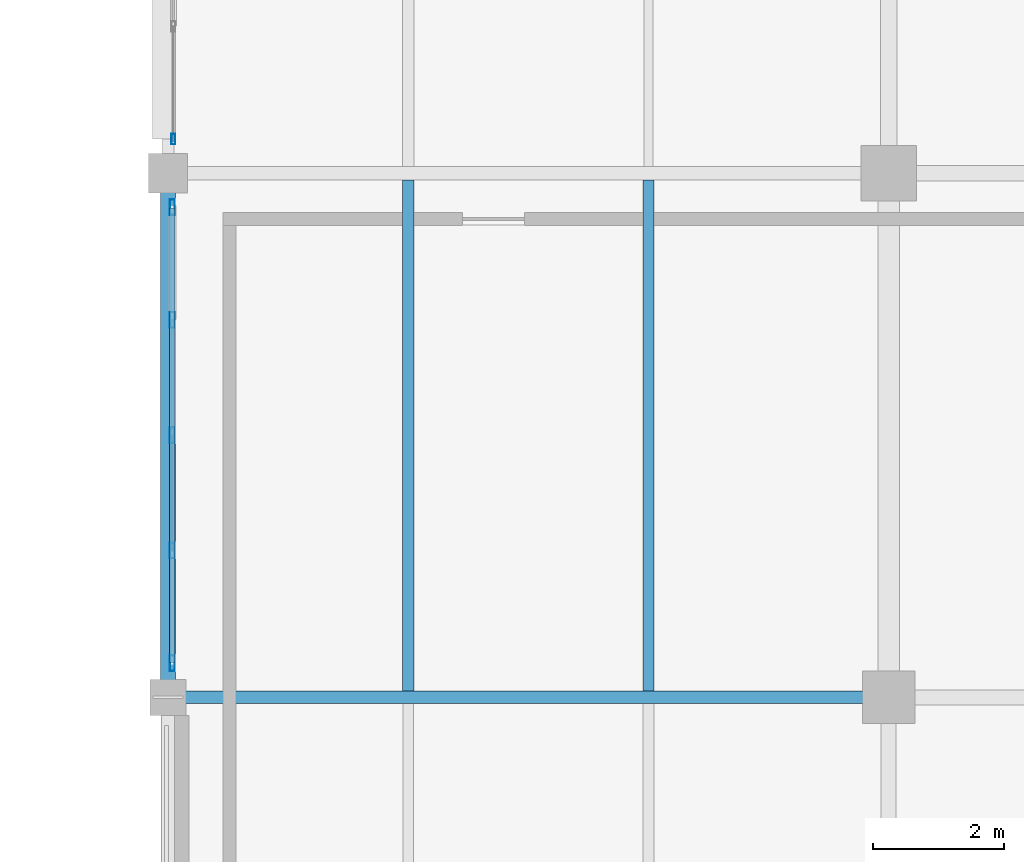
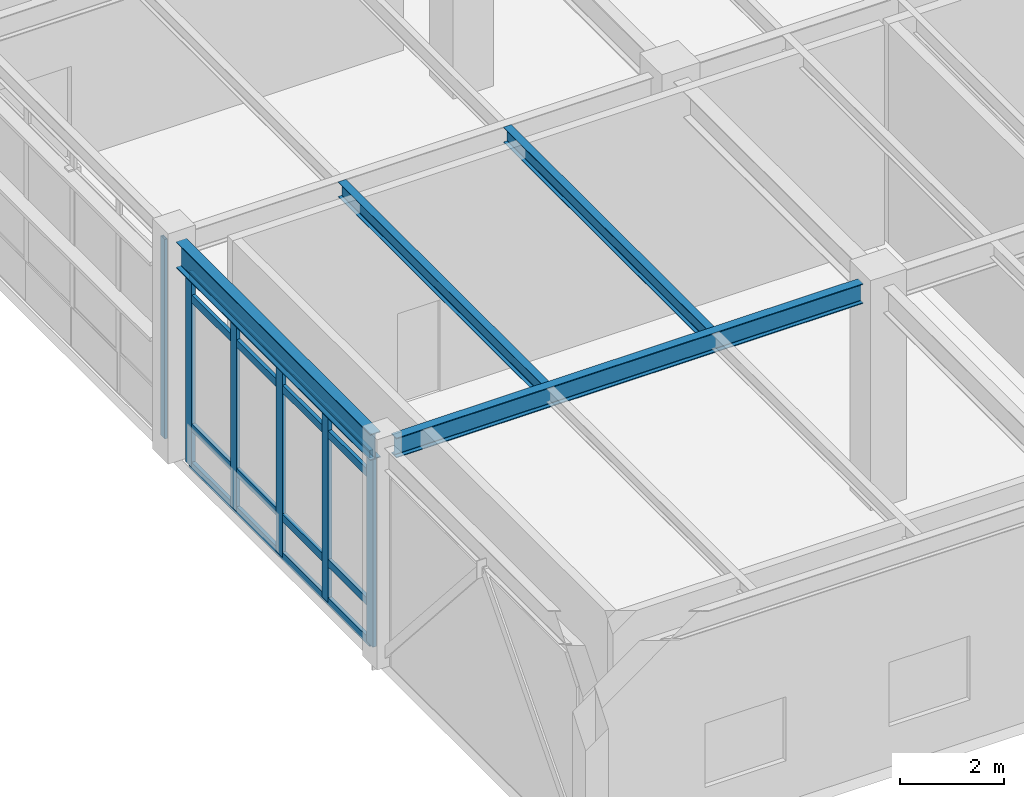
# One storey, part 60 of 203: 10 members, 4 beams, 2 elements without a shape of their own.
"""IFC4 building model written with IfcOpenShell, lengths in metres."""

from ifc_helpers import new_model, si_unit, direction, frame, origin, origin_2d, place, context, subcontext, project, spatial, hollow_rectangle, i_section, extrude, material, material_profile, profile_set, type_object, element, aggregate, save


model = new_model("IFC4")

# Units and contexts
model_context = context("Model", 3, precision=1e-05, world=origin(), true_north=direction((0.0, 1.0)))
body_context = subcontext(model_context, "Body", "Model", "MODEL_VIEW")
ifc_project = project(units=[si_unit("LENGTHUNIT", "METRE"), si_unit("AREAUNIT", "SQUARE_METRE"), si_unit("VOLUMEUNIT", "CUBIC_METRE"), si_unit("PLANEANGLEUNIT", "RADIAN"), si_unit("MASSUNIT", "GRAM", prefix="KILO"), si_unit("THERMODYNAMICTEMPERATUREUNIT", "KELVIN"), si_unit("POWERUNIT", "WATT")], contexts=[model_context])

# Site, building, storey
site_placement = place(None, origin())
site = spatial("IfcSite", under=ifc_project, at=site_placement, CompositionType="ELEMENT")
building_placement = place(site_placement, origin())
building = spatial("IfcBuilding", under=site, at=building_placement, Name="Tepalcoro Natatorium and Aquatics Centre", CompositionType="ELEMENT")
storey_placement = place(building_placement, origin())
storey = spatial("IfcBuildingStorey", under=building, at=storey_placement, Name="L00", CompositionType="ELEMENT", Elevation=0.0)

# Beam
ifc_material_1 = material(Name="Steel ASTM A992 Grade 50 (Fy 345 MPa)", Category="steel")
ifc_material_profile_1 = material_profile(ifc_material_1, i_section(OverallWidth=0.193115234375, OverallDepth=0.467041015625, WebThickness=0.010986328125, FlangeThickness=0.01904296875, FilletRadius=0.013916015625, at=origin_2d()), Name="W18X65")
ifc_profile_set_1 = profile_set([ifc_material_profile_1], Name="Steel ASTM A992 Grade 50 (Fy 345 MPa)")
beam_type_1 = type_object("IfcBeamType", Name="BM_W18x65", PredefinedType="BEAM", material=ifc_profile_set_1)
beam_1_placement = place(storey_placement, frame((10.260009765625, 94.0, 4.91162109375), z_axis=(1.0, 0.0, 0.0), x_axis=(0.0, 1.0, 0.0)))
element("IfcBeam", 1, at=beam_1_placement, inside=storey, type_object=beam_type_1, Name="V4 L00 Grid Girder X", PredefinedType="BEAM", context=body_context, shape_type="SweptSolid", body=[
    extrude(i_section(OverallWidth=0.193115234375, OverallDepth=0.467041015625, WebThickness=0.010986328125, FlangeThickness=0.01904296875, FilletRadius=0.013916015625, at=origin_2d()), origin(), (0.0, 0.0, 1.0), 10.35498046875),
])

# Curtain wall, member
ifc_material_2 = material(Name="Bronze-Anodised Extruded Aluminium Alloy EN AW-6063 T6", Category="aluminium")
curtain_wall_type_1 = type_object("IfcCurtainWallType", Name="CW_LEAN_T1_EW", PredefinedType="USERDEFINED", material=ifc_material_2)
curtain_wall_1_placement = place(storey_placement, origin())
curtain_wall_1 = element("IfcCurtainWall", 2, at=curtain_wall_1_placement, inside=storey, type_object=curtain_wall_type_1, Name="V4 L00 W Unitised Curtain Wall Bay 3", ObjectType="FACETED SOLAR GLAZING", PredefinedType="USERDEFINED")
ifc_material_profile_2 = material_profile(ifc_material_2, hollow_rectangle(XDim=0.06005859375, YDim=0.159912109375, WallThickness=0.00390625, at=origin_2d()), Name="AL60X160X4")
ifc_profile_set_2 = profile_set([ifc_material_profile_2], Name="Bronze-Anodised Extruded Aluminium Alloy EN AW-6063 T6")
member_type_1 = type_object("IfcMemberType", Name="CW_MUL_60x160", PredefinedType="MULLION", material=ifc_profile_set_2)
member_1_placement = place(storey_placement, frame((10.080078125, 102.52001953125, 0.02001953125), z_axis=(0.0, 0.0, 1.0), x_axis=(1.0, 0.0, 0.0)))
member_1 = element("IfcMember", 3, at=member_1_placement, type_object=member_type_1, Name="CW_LEAN_T1_EW Curtain Wall Mullion", PredefinedType="MULLION", context=body_context, shape_type="SweptSolid", body=[
    extrude(hollow_rectangle(XDim=0.06005859375, YDim=0.159912109375, WallThickness=0.00390625, at=origin_2d()), origin(), (0.0, 0.0, 1.0), 4.677001953125),
])
aggregate(curtain_wall_1, [member_1])

# Curtain wall, members
curtain_wall_type_2 = type_object("IfcCurtainWallType", Name="CW_LEAN_T1_NS", PredefinedType="USERDEFINED", material=ifc_material_2)
curtain_wall_2_placement = place(storey_placement, origin())
curtain_wall_2 = element("IfcCurtainWall", 4, at=curtain_wall_2_placement, inside=storey, type_object=curtain_wall_type_2, Name="V4 L00 W Unitised Curtain Wall Bay 2", ObjectType="FACETED SOLAR GLAZING", PredefinedType="USERDEFINED")
ifc_material_profile_3 = material_profile(ifc_material_2, hollow_rectangle(XDim=0.080078125, YDim=0.239990234375, WallThickness=0.0048828125, at=origin_2d()), Name="AL80X240X5")
ifc_profile_set_3 = profile_set([ifc_material_profile_3], Name="Bronze-Anodised Extruded Aluminium Alloy EN AW-6063 T6")
member_type_2 = type_object("IfcMemberType", Name="CW_MUL_80x240", PredefinedType="MULLION", material=ifc_profile_set_3)
member_2_placement = place(storey_placement, frame((10.06494140625, 94.52001953125, 0.02001953125), z_axis=(0.0, 0.0, 1.0), x_axis=(1.0, 0.0, 0.0)))
member_2 = element("IfcMember", 5, at=member_2_placement, type_object=member_type_2, Name="CW_LEAN_T1_NS Curtain Wall Mullion", PredefinedType="MULLION", context=body_context, shape_type="SweptSolid", body=[
    extrude(hollow_rectangle(XDim=0.080078125, YDim=0.239990234375, WallThickness=0.0048828125, at=origin_2d()), origin(), (0.0, 0.0, 1.0), 4.47802734375),
])
member_3_placement = place(storey_placement, frame((10.06494140625, 96.239990234375, 0.02001953125), z_axis=(0.0, 0.0, 1.0), x_axis=(1.0, 0.0, 0.0)))
member_3 = element("IfcMember", 6, at=member_3_placement, type_object=member_type_2, Name="CW_LEAN_T1_NS Curtain Wall Mullion", PredefinedType="MULLION", context=body_context, shape_type="SweptSolid", body=[
    extrude(hollow_rectangle(XDim=0.080078125, YDim=0.239990234375, WallThickness=0.0048828125, at=origin_2d()), origin(), (0.0, 0.0, 1.0), 4.47802734375),
])
member_4_placement = place(storey_placement, frame((10.06494140625, 98.0, 0.02001953125), z_axis=(0.0, 0.0, 1.0), x_axis=(1.0, 0.0, 0.0)))
member_4 = element("IfcMember", 7, at=member_4_placement, type_object=member_type_2, Name="CW_LEAN_T1_NS Curtain Wall Mullion", PredefinedType="MULLION", context=body_context, shape_type="SweptSolid", body=[
    extrude(hollow_rectangle(XDim=0.080078125, YDim=0.239990234375, WallThickness=0.0048828125, at=origin_2d()), origin(), (0.0, 0.0, 1.0), 4.47802734375),
])
member_5_placement = place(storey_placement, frame((10.06494140625, 99.760009765625, 0.02001953125), z_axis=(0.0, 0.0, 1.0), x_axis=(1.0, 0.0, 0.0)))
member_5 = element("IfcMember", 8, at=member_5_placement, type_object=member_type_2, Name="CW_LEAN_T1_NS Curtain Wall Mullion", PredefinedType="MULLION", context=body_context, shape_type="SweptSolid", body=[
    extrude(hollow_rectangle(XDim=0.080078125, YDim=0.239990234375, WallThickness=0.0048828125, at=origin_2d()), origin(), (0.0, 0.0, 1.0), 4.47802734375),
])
member_6_placement = place(storey_placement, frame((10.06494140625, 101.47998046875, 0.02001953125), z_axis=(0.0, 0.0, 1.0), x_axis=(1.0, 0.0, 0.0)))
member_6 = element("IfcMember", 9, at=member_6_placement, type_object=member_type_2, Name="CW_LEAN_T1_NS Curtain Wall Mullion", PredefinedType="MULLION", context=body_context, shape_type="SweptSolid", body=[
    extrude(hollow_rectangle(XDim=0.080078125, YDim=0.239990234375, WallThickness=0.0048828125, at=origin_2d()), origin(), (0.0, 0.0, 1.0), 4.47802734375),
])
ifc_material_profile_4 = material_profile(ifc_material_2, hollow_rectangle(XDim=0.080078125, YDim=0.179931640625, WallThickness=0.0048828125, at=origin_2d()), Name="AL80X180X5")
ifc_profile_set_4 = profile_set([ifc_material_profile_4], Name="Bronze-Anodised Extruded Aluminium Alloy EN AW-6063 T6")
member_type_3 = type_object("IfcMemberType", Name="CW_TRN_80x180", PredefinedType="USERDEFINED", material=ifc_profile_set_4)
member_7_placement = place(storey_placement, frame((10.06494140625, 94.530029296875, 0.050048828125), z_axis=(0.0, 1.0, 0.0), x_axis=(-1.0, 0.0, 0.0)))
member_7 = element("IfcMember", 10, at=member_7_placement, type_object=member_type_3, Name="CW_LEAN_T1_NS Curtain Wall Transom", ObjectType="TRANSOM", PredefinedType="USERDEFINED", context=body_context, shape_type="SweptSolid", body=[
    extrude(hollow_rectangle(XDim=0.080078125, YDim=0.179931640625, WallThickness=0.0048828125, at=origin_2d()), origin(), (0.0, 0.0, 1.0), 6.93994140625),
])
member_8_placement = place(storey_placement, frame((10.06494140625, 94.530029296875, 0.949951171875), z_axis=(0.0, 1.0, 0.0), x_axis=(-1.0, 0.0, 0.0)))
member_8 = element("IfcMember", 11, at=member_8_placement, type_object=member_type_3, Name="CW_LEAN_T1_NS Curtain Wall Transom", ObjectType="TRANSOM", PredefinedType="USERDEFINED", context=body_context, shape_type="SweptSolid", body=[
    extrude(hollow_rectangle(XDim=0.080078125, YDim=0.179931640625, WallThickness=0.0048828125, at=origin_2d()), origin(), (0.0, 0.0, 1.0), 6.93994140625),
])
member_9_placement = place(storey_placement, frame((10.06494140625, 94.530029296875, 3.968017578125), z_axis=(0.0, 1.0, 0.0), x_axis=(-1.0, 0.0, 0.0)))
member_9 = element("IfcMember", 12, at=member_9_placement, type_object=member_type_3, Name="CW_LEAN_T1_NS Curtain Wall Transom", ObjectType="TRANSOM", PredefinedType="USERDEFINED", context=body_context, shape_type="SweptSolid", body=[
    extrude(hollow_rectangle(XDim=0.080078125, YDim=0.179931640625, WallThickness=0.0048828125, at=origin_2d()), origin(), (0.0, 0.0, 1.0), 6.93994140625),
])
member_10_placement = place(storey_placement, frame((10.06494140625, 94.530029296875, 4.468017578125), z_axis=(0.0, 1.0, 0.0), x_axis=(-1.0, 0.0, 0.0)))
member_10 = element("IfcMember", 13, at=member_10_placement, type_object=member_type_3, Name="CW_LEAN_T1_NS Curtain Wall Transom", ObjectType="TRANSOM", PredefinedType="USERDEFINED", context=body_context, shape_type="SweptSolid", body=[
    extrude(hollow_rectangle(XDim=0.080078125, YDim=0.179931640625, WallThickness=0.0048828125, at=origin_2d()), origin(), (0.0, 0.0, 1.0), 6.93994140625),
])
aggregate(curtain_wall_2, [member_2, member_3, member_4, member_5, member_6, member_7, member_8, member_9, member_10])

# Beams
ifc_material_profile_5 = material_profile(ifc_material_1, i_section(OverallWidth=0.1708984375, OverallDepth=0.35107421875, WebThickness=0.007080078125, FlangeThickness=0.010009765625, FilletRadius=0.013916015625, at=origin_2d()), Name="W14X30")
ifc_profile_set_5 = profile_set([ifc_material_profile_5], Name="Steel ASTM A992 Grade 50 (Fy 345 MPa)")
beam_type_2 = type_object("IfcBeamType", Name="JS_W14x30", PredefinedType="JOIST", material=ifc_profile_set_5)
beam_2_placement = place(storey_placement, frame((13.666748046875, 94.096435546875, 4.969482421875), z_axis=(0.0, 1.0, 0.0), x_axis=(-1.0, 0.0, 0.0)))
element("IfcBeam", 14, at=beam_2_placement, inside=storey, type_object=beam_type_2, Name="V4 L00 Floor Joist", PredefinedType="JOIST", context=body_context, shape_type="SweptSolid", body=[
    extrude(i_section(OverallWidth=0.1708984375, OverallDepth=0.35107421875, WebThickness=0.007080078125, FlangeThickness=0.010009765625, FilletRadius=0.013916015625, at=origin_2d()), origin(), (0.0, 0.0, 1.0), 7.798583984375),
])
ifc_material_profile_6 = material_profile(ifc_material_1, i_section(OverallWidth=0.172119140625, OverallDepth=0.35791015625, WebThickness=0.008056640625, FlangeThickness=0.012939453125, FilletRadius=0.013916015625, at=origin_2d()), Name="W14X38")
ifc_profile_set_6 = profile_set([ifc_material_profile_6], Name="Steel ASTM A992 Grade 50 (Fy 345 MPa)")
beam_type_3 = type_object("IfcBeamType", Name="JS_W14x38", PredefinedType="JOIST", material=ifc_profile_set_6)
beam_3_placement = place(storey_placement, frame((17.333251953125, 94.096435546875, 4.966064453125), z_axis=(0.0, 1.0, 0.0), x_axis=(-1.0, 0.0, 0.0)))
element("IfcBeam", 15, at=beam_3_placement, inside=storey, type_object=beam_type_3, Name="V4 L00 Floor Joist", PredefinedType="JOIST", context=body_context, shape_type="SweptSolid", body=[
    extrude(i_section(OverallWidth=0.172119140625, OverallDepth=0.35791015625, WebThickness=0.008056640625, FlangeThickness=0.012939453125, FilletRadius=0.013916015625, at=origin_2d()), origin(), (0.0, 0.0, 1.0), 7.798583984375),
])
ifc_material_profile_7 = material_profile(ifc_material_1, i_section(OverallWidth=0.22900390625, OverallDepth=0.612060546875, WebThickness=0.011962890625, FlangeThickness=0.02001953125, FilletRadius=0.013916015625, at=origin_2d()), Name="W24X84")
ifc_profile_set_7 = profile_set([ifc_material_profile_7], Name="Steel ASTM A992 Grade 50 (Fy 345 MPa)")
beam_type_4 = type_object("IfcBeamType", Name="SP_W24x84", PredefinedType="SPANDREL", material=ifc_profile_set_7)
beam_4_placement = place(storey_placement, frame((10.0, 94.260009765625, 4.839111328125), z_axis=(0.0, 1.0, 0.0), x_axis=(-1.0, 0.0, 0.0)))
element("IfcBeam", 16, at=beam_4_placement, inside=storey, type_object=beam_type_4, Name="V4 L00 Grid Girder Y", PredefinedType="SPANDREL", context=body_context, shape_type="SweptSolid", body=[
    extrude(i_section(OverallWidth=0.22900390625, OverallDepth=0.612060546875, WebThickness=0.011962890625, FlangeThickness=0.02001953125, FilletRadius=0.013916015625, at=origin_2d()), origin(), (0.0, 0.0, 1.0), 7.455078125),
])

save(model, "model.ifc")
